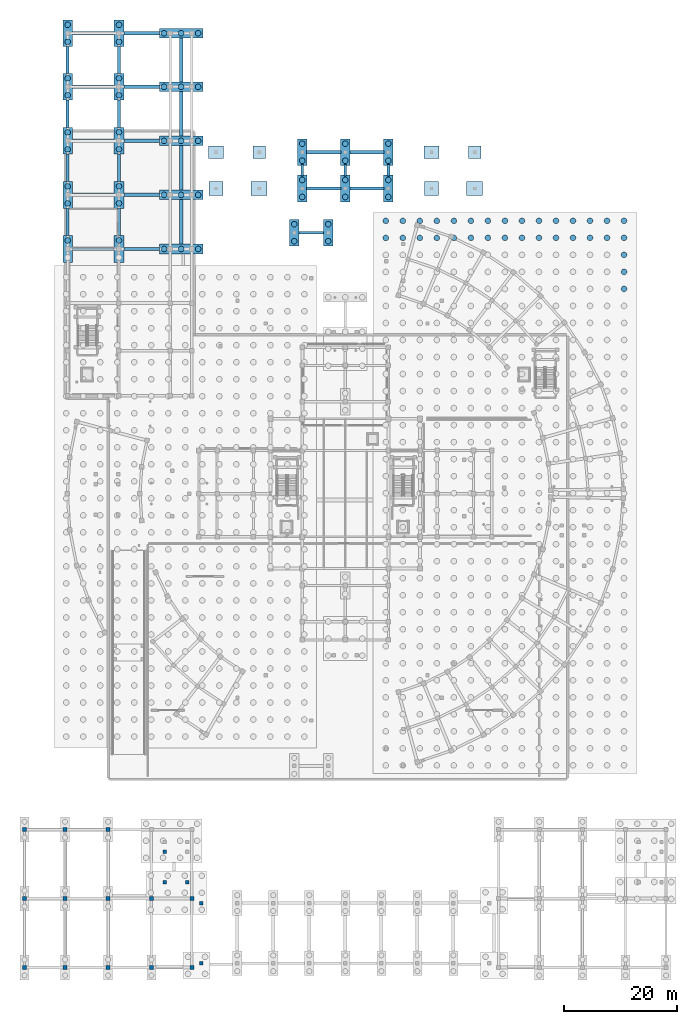
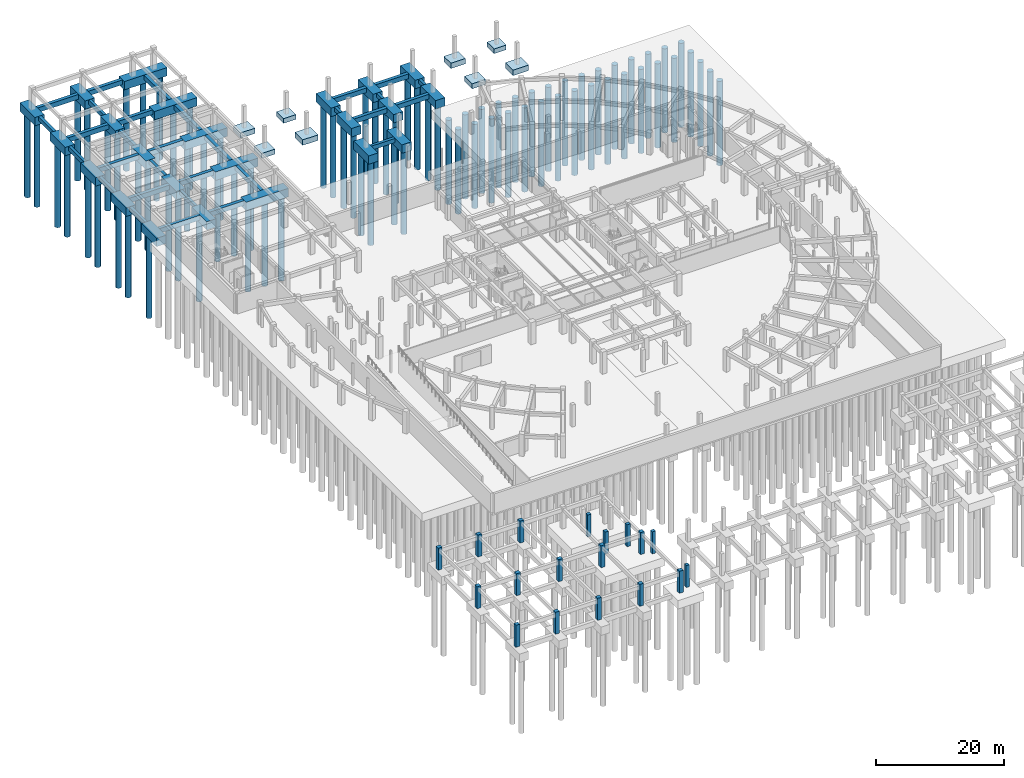
# One storey, part 6 of 33: 82 piles, 61 footings, 18 columns.
"""IFC4 building model written with IfcOpenShell, lengths in metres."""

from ifc_helpers import new_model, si_unit, direction, frame, origin, origin_2d, place, context, subcontext, project, spatial, rectangle, circle, extrude, material, material_profile, profile_set, type_object, element, save


model = new_model("IFC4")

# Units and contexts
model_context = context("Model", 3, precision=1e-05, world=origin(), true_north=direction((0.0, 1.0)))
body_context = subcontext(model_context, "Body", "Model", "MODEL_VIEW")
ifc_project = project(units=[si_unit("LENGTHUNIT", "METRE"), si_unit("AREAUNIT", "SQUARE_METRE"), si_unit("VOLUMEUNIT", "CUBIC_METRE"), si_unit("PLANEANGLEUNIT", "RADIAN"), si_unit("MASSUNIT", "GRAM", prefix="KILO")], contexts=[model_context])

# Site, building, storey
site_placement = place(None, origin())
site = spatial("IfcSite", under=ifc_project, at=site_placement, CompositionType="ELEMENT")
building_placement = place(site_placement, origin())
building = spatial("IfcBuilding", under=site, at=building_placement, Name="Saryqyr Civic Hall", CompositionType="ELEMENT")
storey_placement = place(building_placement, frame((0.0, 0.0, -4.199951171875)))
storey = spatial("IfcBuildingStorey", under=building, at=storey_placement, Name="B1", CompositionType="ELEMENT", Elevation=-4.199951171875)

# Footings
ifc_material_1 = material(Name="Concrete C35/45", Category="concrete")
footing_type_1 = type_object("IfcFootingType", Name="STR-FB-500x800", PredefinedType="FOOTING_BEAM", material=ifc_material_1)
for number, where, z_axis, x_axis, name in (
    (1, (8.050048828125, 131.89501953125, -0.80029296875), (0.0, 0.0, 1.0), (1.0, 0.0, 0.0), "Ground tie beam FND-FB-061"),
    (2, (17.10009765625, 131.89501953125, -0.80029296875), (0.0, 0.0, 1.0), (1.0, 0.0, 0.0), "Ground tie beam FND-FB-063"),
):
    element("IfcFooting", number, at=place(storey_placement, frame(where, z_axis=z_axis, x_axis=x_axis)), inside=storey, type_object=footing_type_1, Name=name, PredefinedType="FOOTING_BEAM", context=body_context, shape_type="SweptSolid", body=[
        extrude(rectangle(XDim=0.5, YDim=4.830078125, at=origin_2d()), origin(), (0.0, 0.0, 1.0), 0.800048828125),
    ])
footing_1_placement = place(storey_placement, frame((51.0, 130.0, -0.80029296875), z_axis=(0.0, 0.0, 1.0), x_axis=(1.0, 0.0, 0.0)))
element("IfcFooting", 3, at=footing_1_placement, inside=storey, type_object=footing_type_1, Name="Ground tie beam FND-FB-065", PredefinedType="FOOTING_BEAM", context=body_context, shape_type="SweptSolid", body=[
    extrude(rectangle(XDim=4.39990234375, YDim=0.5, at=origin_2d()), origin(), (0.0, 0.0, 1.0), 0.800048828125),
])
for number, where, z_axis, x_axis, name in (
    (4, (8.050048828125, 141.425048828125, -0.80029296875), (0.0, 0.0, 1.0), (1.0, 0.0, 0.0), "Ground tie beam FND-FB-067"),
    (5, (17.10009765625, 141.425048828125, -0.80029296875), (0.0, 0.0, 1.0), (1.0, 0.0, 0.0), "Ground tie beam FND-FB-069"),
):
    element("IfcFooting", number, at=place(storey_placement, frame(where, z_axis=z_axis, x_axis=x_axis)), inside=storey, type_object=footing_type_1, Name=name, PredefinedType="FOOTING_BEAM", context=body_context, shape_type="SweptSolid", body=[
        extrude(rectangle(XDim=0.5, YDim=4.830078125, at=origin_2d()), origin(), (0.0, 0.0, 1.0), 0.800048828125),
    ])
for number, where, z_axis, x_axis, name in (
    (6, (49.39990234375, 141.0, -0.80029296875), (0.0, 0.0, 1.0), (1.0, 0.0, 0.0), "Ground tie beam FND-FB-072"),
    (7, (57.0, 141.0, -0.80029296875), (0.0, 0.0, 1.0), (1.0, 0.0, 0.0), "Ground tie beam FND-FB-074"),
    (8, (64.60009765625, 141.0, -0.80029296875), (0.0, 0.0, 1.0), (1.0, 0.0, 0.0), "Ground tie beam FND-FB-075"),
):
    element("IfcFooting", number, at=place(storey_placement, frame(where, z_axis=z_axis, x_axis=x_axis)), inside=storey, type_object=footing_type_1, Name=name, PredefinedType="FOOTING_BEAM", context=body_context, shape_type="SweptSolid", body=[
        extrude(rectangle(XDim=0.5, YDim=2.0, at=origin_2d()), origin(), (0.0, 0.0, 1.0), 0.800048828125),
    ])
for number, where, z_axis, x_axis, name in (
    (9, (8.050048828125, 150.955078125, -0.80029296875), (0.0, 0.0, 1.0), (1.0, 0.0, 0.0), "Ground tie beam FND-FB-079"),
    (10, (17.10009765625, 150.955078125, -0.80029296875), (0.0, 0.0, 1.0), (1.0, 0.0, 0.0), "Ground tie beam FND-FB-081"),
):
    element("IfcFooting", number, at=place(storey_placement, frame(where, z_axis=z_axis, x_axis=x_axis)), inside=storey, type_object=footing_type_1, Name=name, PredefinedType="FOOTING_BEAM", context=body_context, shape_type="SweptSolid", body=[
        extrude(rectangle(XDim=0.5, YDim=4.830078125, at=origin_2d()), origin(), (0.0, 0.0, 1.0), 0.800048828125),
    ])
for number, where, z_axis, x_axis, name in (
    (11, (8.050048828125, 160.43505859375, -0.80029296875), (0.0, 0.0, 1.0), (1.0, 0.0, 0.0), "Ground tie beam FND-FB-084"),
    (12, (17.10009765625, 160.43505859375, -0.80029296875), (0.0, 0.0, 1.0), (1.0, 0.0, 0.0), "Ground tie beam FND-FB-086"),
):
    element("IfcFooting", number, at=place(storey_placement, frame(where, z_axis=z_axis, x_axis=x_axis)), inside=storey, type_object=footing_type_1, Name=name, PredefinedType="FOOTING_BEAM", context=body_context, shape_type="SweptSolid", body=[
        extrude(rectangle(XDim=0.5, YDim=4.72998046875, at=origin_2d()), origin(), (0.0, 0.0, 1.0), 0.800048828125),
    ])
footing_type_2 = type_object("IfcFootingType", Name="STR-FB-600x900", PredefinedType="FOOTING_BEAM", material=ifc_material_1)
footing_2_placement = place(storey_placement, frame((12.574951171875, 127.1298828125, -0.89990234375), z_axis=(0.0, 0.0, 1.0), x_axis=(1.0, 0.0, 0.0)))
element("IfcFooting", 13, at=footing_2_placement, inside=storey, type_object=footing_type_2, Name="Ground tie beam FND-FB-060", PredefinedType="FOOTING_BEAM", context=body_context, shape_type="SweptSolid", body=[
    extrude(rectangle(XDim=7.35009765625, YDim=0.60009765625, at=origin_2d()), origin(), (0.0, 0.0, 1.0), 0.89990234375),
])
footing_3_placement = place(storey_placement, frame((21.074951171875, 127.1298828125, -0.89990234375), z_axis=(0.0, 0.0, 1.0), x_axis=(1.0, 0.0, 0.0)))
element("IfcFooting", 14, at=footing_3_placement, inside=storey, type_object=footing_type_2, Name="Ground tie beam FND-FB-062", PredefinedType="FOOTING_BEAM", context=body_context, shape_type="SweptSolid", body=[
    extrude(rectangle(XDim=6.25, YDim=0.60009765625, at=origin_2d()), origin(), (0.0, 0.0, 1.0), 0.89990234375),
])
footing_4_placement = place(storey_placement, frame((28.050048828125, 131.89501953125, -0.89990234375), z_axis=(0.0, 0.0, 1.0), x_axis=(1.0, 0.0, 0.0)))
element("IfcFooting", 15, at=footing_4_placement, inside=storey, type_object=footing_type_2, Name="Ground tie beam FND-FB-064", PredefinedType="FOOTING_BEAM", context=body_context, shape_type="SweptSolid", body=[
    extrude(rectangle(XDim=0.60009765625, YDim=7.830078125, at=origin_2d()), origin(), (0.0, 0.0, 1.0), 0.89990234375),
])
footing_5_placement = place(storey_placement, frame((12.574951171875, 136.659912109375, -0.89990234375), z_axis=(0.0, 0.0, 1.0), x_axis=(1.0, 0.0, 0.0)))
element("IfcFooting", 16, at=footing_5_placement, inside=storey, type_object=footing_type_2, Name="Ground tie beam FND-FB-066", PredefinedType="FOOTING_BEAM", context=body_context, shape_type="SweptSolid", body=[
    extrude(rectangle(XDim=7.35009765625, YDim=0.60009765625, at=origin_2d()), origin(), (0.0, 0.0, 1.0), 0.89990234375),
])
footing_6_placement = place(storey_placement, frame((21.074951171875, 136.659912109375, -0.89990234375), z_axis=(0.0, 0.0, 1.0), x_axis=(1.0, 0.0, 0.0)))
element("IfcFooting", 17, at=footing_6_placement, inside=storey, type_object=footing_type_2, Name="Ground tie beam FND-FB-068", PredefinedType="FOOTING_BEAM", context=body_context, shape_type="SweptSolid", body=[
    extrude(rectangle(XDim=6.25, YDim=0.60009765625, at=origin_2d()), origin(), (0.0, 0.0, 1.0), 0.89990234375),
])
footing_7_placement = place(storey_placement, frame((28.050048828125, 141.425048828125, -0.89990234375), z_axis=(0.0, 0.0, 1.0), x_axis=(1.0, 0.0, 0.0)))
element("IfcFooting", 18, at=footing_7_placement, inside=storey, type_object=footing_type_2, Name="Ground tie beam FND-FB-070", PredefinedType="FOOTING_BEAM", context=body_context, shape_type="SweptSolid", body=[
    extrude(rectangle(XDim=0.60009765625, YDim=7.830078125, at=origin_2d()), origin(), (0.0, 0.0, 1.0), 0.89990234375),
])
for number, where, z_axis, x_axis, name in (
    (19, (53.199951171875, 137.800048828125, -0.89990234375), (0.0, 0.0, 1.0), (1.0, 0.0, 0.0), "Ground tie beam FND-FB-071"),
    (20, (60.800048828125, 137.800048828125, -0.89990234375), (0.0, 0.0, 1.0), (1.0, 0.0, 0.0), "Ground tie beam FND-FB-073"),
    (21, (53.199951171875, 144.199951171875, -0.89990234375), (0.0, 0.0, 1.0), (1.0, 0.0, 0.0), "Ground tie beam FND-FB-076"),
    (22, (60.800048828125, 144.199951171875, -0.89990234375), (0.0, 0.0, 1.0), (1.0, 0.0, 0.0), "Ground tie beam FND-FB-077"),
):
    element("IfcFooting", number, at=place(storey_placement, frame(where, z_axis=z_axis, x_axis=x_axis)), inside=storey, type_object=footing_type_2, Name=name, PredefinedType="FOOTING_BEAM", context=body_context, shape_type="SweptSolid", body=[
        extrude(rectangle(XDim=6.0, YDim=0.60009765625, at=origin_2d()), origin(), (0.0, 0.0, 1.0), 0.89990234375),
    ])
footing_8_placement = place(storey_placement, frame((12.574951171875, 146.18994140625, -0.89990234375), z_axis=(0.0, 0.0, 1.0), x_axis=(1.0, 0.0, 0.0)))
element("IfcFooting", 23, at=footing_8_placement, inside=storey, type_object=footing_type_2, Name="Ground tie beam FND-FB-078", PredefinedType="FOOTING_BEAM", context=body_context, shape_type="SweptSolid", body=[
    extrude(rectangle(XDim=7.35009765625, YDim=0.60009765625, at=origin_2d()), origin(), (0.0, 0.0, 1.0), 0.89990234375),
])
footing_9_placement = place(storey_placement, frame((21.074951171875, 146.18994140625, -0.89990234375), z_axis=(0.0, 0.0, 1.0), x_axis=(1.0, 0.0, 0.0)))
element("IfcFooting", 24, at=footing_9_placement, inside=storey, type_object=footing_type_2, Name="Ground tie beam FND-FB-080", PredefinedType="FOOTING_BEAM", context=body_context, shape_type="SweptSolid", body=[
    extrude(rectangle(XDim=6.25, YDim=0.60009765625, at=origin_2d()), origin(), (0.0, 0.0, 1.0), 0.89990234375),
])
footing_10_placement = place(storey_placement, frame((28.050048828125, 150.955078125, -0.89990234375), z_axis=(0.0, 0.0, 1.0), x_axis=(1.0, 0.0, 0.0)))
element("IfcFooting", 25, at=footing_10_placement, inside=storey, type_object=footing_type_2, Name="Ground tie beam FND-FB-082", PredefinedType="FOOTING_BEAM", context=body_context, shape_type="SweptSolid", body=[
    extrude(rectangle(XDim=0.60009765625, YDim=7.830078125, at=origin_2d()), origin(), (0.0, 0.0, 1.0), 0.89990234375),
])
footing_11_placement = place(storey_placement, frame((12.574951171875, 155.719970703125, -0.89990234375), z_axis=(0.0, 0.0, 1.0), x_axis=(1.0, 0.0, 0.0)))
element("IfcFooting", 26, at=footing_11_placement, inside=storey, type_object=footing_type_2, Name="Ground tie beam FND-FB-083", PredefinedType="FOOTING_BEAM", context=body_context, shape_type="SweptSolid", body=[
    extrude(rectangle(XDim=7.35009765625, YDim=0.60009765625, at=origin_2d()), origin(), (0.0, 0.0, 1.0), 0.89990234375),
])
footing_12_placement = place(storey_placement, frame((21.074951171875, 155.719970703125, -0.89990234375), z_axis=(0.0, 0.0, 1.0), x_axis=(1.0, 0.0, 0.0)))
element("IfcFooting", 27, at=footing_12_placement, inside=storey, type_object=footing_type_2, Name="Ground tie beam FND-FB-085", PredefinedType="FOOTING_BEAM", context=body_context, shape_type="SweptSolid", body=[
    extrude(rectangle(XDim=6.25, YDim=0.60009765625, at=origin_2d()), origin(), (0.0, 0.0, 1.0), 0.89990234375),
])
footing_13_placement = place(storey_placement, frame((28.050048828125, 160.43505859375, -0.89990234375), z_axis=(0.0, 0.0, 1.0), x_axis=(1.0, 0.0, 0.0)))
element("IfcFooting", 28, at=footing_13_placement, inside=storey, type_object=footing_type_2, Name="Ground tie beam FND-FB-087", PredefinedType="FOOTING_BEAM", context=body_context, shape_type="SweptSolid", body=[
    extrude(rectangle(XDim=0.60009765625, YDim=7.72998046875, at=origin_2d()), origin(), (0.0, 0.0, 1.0), 0.89990234375),
])
footing_14_placement = place(storey_placement, frame((12.574951171875, 165.14990234375, -0.89990234375), z_axis=(0.0, 0.0, 1.0), x_axis=(1.0, 0.0, 0.0)))
element("IfcFooting", 29, at=footing_14_placement, inside=storey, type_object=footing_type_2, Name="Ground tie beam FND-FB-088", PredefinedType="FOOTING_BEAM", context=body_context, shape_type="SweptSolid", body=[
    extrude(rectangle(XDim=7.35009765625, YDim=0.60009765625, at=origin_2d()), origin(), (0.0, 0.0, 1.0), 0.89990234375),
])
footing_15_placement = place(storey_placement, frame((21.074951171875, 165.14990234375, -0.89990234375), z_axis=(0.0, 0.0, 1.0), x_axis=(1.0, 0.0, 0.0)))
element("IfcFooting", 30, at=footing_15_placement, inside=storey, type_object=footing_type_2, Name="Ground tie beam FND-FB-089", PredefinedType="FOOTING_BEAM", context=body_context, shape_type="SweptSolid", body=[
    extrude(rectangle(XDim=6.25, YDim=0.60009765625, at=origin_2d()), origin(), (0.0, 0.0, 1.0), 0.89990234375),
])
footing_type_3 = type_object("IfcFootingType", Name="STR-PAD-2200x2200x900", PredefinedType="PAD_FOOTING", material=ifc_material_1)
for number, where, z_axis, x_axis, name in (
    (31, (41.800048828125, 144.199951171875, -0.89990234375), (0.0, 0.0, 1.0), (1.0, 0.0, 0.0), "Reinforced concrete pad footing FND-PAD-004"),
    (32, (79.800048828125, 144.199951171875, -0.89990234375), (0.0, 0.0, 1.0), (1.0, 0.0, 0.0), "Reinforced concrete pad footing FND-PAD-008"),
):
    element("IfcFooting", number, at=place(storey_placement, frame(where, z_axis=z_axis, x_axis=x_axis)), inside=storey, type_object=footing_type_3, Name=name, PredefinedType="PAD_FOOTING", context=body_context, shape_type="SweptSolid", body=[
        extrude(rectangle(XDim=2.199951171875, YDim=2.199951171875, at=origin_2d()), origin(), (0.0, 0.0, 1.0), 0.89990234375),
    ])
footing_type_4 = type_object("IfcFootingType", Name="STR-PAD-2400x2400x950", PredefinedType="PAD_FOOTING", material=ifc_material_1)
for number, where, z_axis, x_axis, name in (
    (33, (34.199951171875, 137.800048828125, -0.9501953125), (0.0, 0.0, 1.0), (1.0, 0.0, 0.0), "Reinforced concrete pad footing FND-PAD-001"),
    (34, (72.199951171875, 137.800048828125, -0.9501953125), (0.0, 0.0, 1.0), (1.0, 0.0, 0.0), "Reinforced concrete pad footing FND-PAD-005"),
):
    element("IfcFooting", number, at=place(storey_placement, frame(where, z_axis=z_axis, x_axis=x_axis)), inside=storey, type_object=footing_type_4, Name=name, PredefinedType="PAD_FOOTING", context=body_context, shape_type="SweptSolid", body=[
        extrude(rectangle(XDim=2.39990234375, YDim=2.39990234375, at=origin_2d()), origin(), (0.0, 0.0, 1.0), 0.949951171875),
    ])
footing_type_5 = type_object("IfcFootingType", Name="STR-PAD-2600x2200x1000", PredefinedType="PAD_FOOTING", material=ifc_material_1)
for number, where, z_axis, x_axis, name in (
    (35, (34.199951171875, 144.199951171875, -1.0), (0.0, 0.0, 1.0), (1.0, 0.0, 0.0), "Reinforced concrete pad footing FND-PAD-002"),
    (36, (72.199951171875, 144.199951171875, -1.0), (0.0, 0.0, 1.0), (1.0, 0.0, 0.0), "Reinforced concrete pad footing FND-PAD-006"),
):
    element("IfcFooting", number, at=place(storey_placement, frame(where, z_axis=z_axis, x_axis=x_axis)), inside=storey, type_object=footing_type_5, Name=name, PredefinedType="PAD_FOOTING", context=body_context, shape_type="SweptSolid", body=[
        extrude(rectangle(XDim=2.60009765625, YDim=2.199951171875, at=origin_2d()), origin(), (0.0, 0.0, 1.0), 1.0),
    ])
footing_type_6 = type_object("IfcFootingType", Name="STR-PAD-2800x2400x1050", PredefinedType="PAD_FOOTING", material=ifc_material_1)
for number, where, z_axis, x_axis, name in (
    (37, (41.800048828125, 137.800048828125, -1.05029296875), (0.0, 0.0, 1.0), (1.0, 0.0, 0.0), "Reinforced concrete pad footing FND-PAD-003"),
    (38, (79.800048828125, 137.800048828125, -1.05029296875), (0.0, 0.0, 1.0), (1.0, 0.0, 0.0), "Reinforced concrete pad footing FND-PAD-007"),
):
    element("IfcFooting", number, at=place(storey_placement, frame(where, z_axis=z_axis, x_axis=x_axis)), inside=storey, type_object=footing_type_6, Name=name, PredefinedType="PAD_FOOTING", context=body_context, shape_type="SweptSolid", body=[
        extrude(rectangle(XDim=2.800048828125, YDim=2.39990234375, at=origin_2d()), origin(), (0.0, 0.0, 1.0), 1.050048828125),
    ])
footing_type_7 = type_object("IfcFootingType", Name="STR-PCAP-1700x4700x1600", PredefinedType="PILE_CAP", material=ifc_material_1)
for number, where, z_axis, x_axis, name in (
    (39, (8.050048828125, 127.1298828125, -1.60009765625), (0.0, 0.0, 1.0), (1.0, 0.0, 0.0), "Reinforced concrete pile cap FND-PCAP-050"),
    (40, (17.10009765625, 127.1298828125, -1.60009765625), (0.0, 0.0, 1.0), (1.0, 0.0, 0.0), "Reinforced concrete pile cap FND-PCAP-051"),
    (41, (48.0, 130.0, -1.60009765625), (0.0, 0.0, 1.0), (1.0, 0.0, 0.0), "Reinforced concrete pile cap FND-PCAP-053"),
    (42, (54.0, 130.0, -1.60009765625), (0.0, 0.0, 1.0), (1.0, 0.0, 0.0), "Reinforced concrete pile cap FND-PCAP-054"),
    (43, (8.050048828125, 136.659912109375, -1.60009765625), (0.0, 0.0, 1.0), (1.0, 0.0, 0.0), "Reinforced concrete pile cap FND-PCAP-055"),
    (44, (17.10009765625, 136.659912109375, -1.60009765625), (0.0, 0.0, 1.0), (1.0, 0.0, 0.0), "Reinforced concrete pile cap FND-PCAP-056"),
    (45, (49.39990234375, 137.800048828125, -1.60009765625), (0.0, 0.0, 1.0), (1.0, 0.0, 0.0), "Reinforced concrete pile cap FND-PCAP-058"),
    (46, (57.0, 137.800048828125, -1.60009765625), (0.0, 0.0, 1.0), (1.0, 0.0, 0.0), "Reinforced concrete pile cap FND-PCAP-059"),
    (47, (64.60009765625, 137.800048828125, -1.60009765625), (0.0, 0.0, 1.0), (1.0, 0.0, 0.0), "Reinforced concrete pile cap FND-PCAP-060"),
    (48, (49.39990234375, 144.199951171875, -1.60009765625), (0.0, 0.0, 1.0), (1.0, 0.0, 0.0), "Reinforced concrete pile cap FND-PCAP-061"),
    (49, (57.0, 144.199951171875, -1.60009765625), (0.0, 0.0, 1.0), (1.0, 0.0, 0.0), "Reinforced concrete pile cap FND-PCAP-062"),
    (50, (64.60009765625, 144.199951171875, -1.60009765625), (0.0, 0.0, 1.0), (1.0, 0.0, 0.0), "Reinforced concrete pile cap FND-PCAP-063"),
    (51, (8.050048828125, 146.18994140625, -1.60009765625), (0.0, 0.0, 1.0), (1.0, 0.0, 0.0), "Reinforced concrete pile cap FND-PCAP-064"),
    (52, (17.10009765625, 146.18994140625, -1.60009765625), (0.0, 0.0, 1.0), (1.0, 0.0, 0.0), "Reinforced concrete pile cap FND-PCAP-065"),
    (53, (8.050048828125, 155.719970703125, -1.60009765625), (0.0, 0.0, 1.0), (1.0, 0.0, 0.0), "Reinforced concrete pile cap FND-PCAP-067"),
    (54, (17.10009765625, 155.719970703125, -1.60009765625), (0.0, 0.0, 1.0), (1.0, 0.0, 0.0), "Reinforced concrete pile cap FND-PCAP-068"),
    (55, (8.050048828125, 165.14990234375, -1.60009765625), (0.0, 0.0, 1.0), (1.0, 0.0, 0.0), "Reinforced concrete pile cap FND-PCAP-070"),
    (56, (17.10009765625, 165.14990234375, -1.60009765625), (0.0, 0.0, 1.0), (1.0, 0.0, 0.0), "Reinforced concrete pile cap FND-PCAP-071"),
):
    element("IfcFooting", number, at=place(storey_placement, frame(where, z_axis=z_axis, x_axis=x_axis)), inside=storey, type_object=footing_type_7, Name=name, PredefinedType="PILE_CAP", context=body_context, shape_type="SweptSolid", body=[
        extrude(rectangle(XDim=1.699951171875, YDim=4.699951171875, at=origin_2d()), origin(), (0.0, 0.0, 1.0), 1.60009765625),
    ])
footing_type_8 = type_object("IfcFootingType", Name="STR-PCAP-7700x1700x1600", PredefinedType="PILE_CAP", material=ifc_material_1)
for number, where, z_axis, x_axis, name in (
    (57, (28.050048828125, 127.1298828125, -1.60009765625), (0.0, 0.0, 1.0), (1.0, 0.0, 0.0), "Reinforced concrete pile cap FND-PCAP-052"),
    (58, (28.050048828125, 136.659912109375, -1.60009765625), (0.0, 0.0, 1.0), (1.0, 0.0, 0.0), "Reinforced concrete pile cap FND-PCAP-057"),
    (59, (28.050048828125, 146.18994140625, -1.60009765625), (0.0, 0.0, 1.0), (1.0, 0.0, 0.0), "Reinforced concrete pile cap FND-PCAP-066"),
    (60, (28.050048828125, 155.719970703125, -1.60009765625), (0.0, 0.0, 1.0), (1.0, 0.0, 0.0), "Reinforced concrete pile cap FND-PCAP-069"),
    (61, (28.050048828125, 165.14990234375, -1.60009765625), (0.0, 0.0, 1.0), (1.0, 0.0, 0.0), "Reinforced concrete pile cap FND-PCAP-072"),
):
    element("IfcFooting", number, at=place(storey_placement, frame(where, z_axis=z_axis, x_axis=x_axis)), inside=storey, type_object=footing_type_8, Name=name, PredefinedType="PILE_CAP", context=body_context, shape_type="SweptSolid", body=[
        extrude(rectangle(XDim=7.699951171875, YDim=1.699951171875, at=origin_2d()), origin(), (0.0, 0.0, 1.0), 1.60009765625),
    ])

# Piles
ifc_material_profile_1 = material_profile(ifc_material_1, circle(Radius=0.5, at=origin_2d()), Name="BORED PILE D1000")
ifc_profile_set_1 = profile_set([ifc_material_profile_1], Name="Concrete C35/45")
pile_type = type_object("IfcPileType", Name="STR-PILE-D1000", PredefinedType="BORED", material=ifc_profile_set_1)
for number, where, z_axis, x_axis, name in (
    (62, (64.14404296875, 129.0849609375, -1.5), (0.0, 0.0, -1.0), (1.0, 0.0, 0.0), "Bored pile FND-PCAP-043-P32"),
    (63, (64.14404296875, 132.0849609375, -1.5), (0.0, 0.0, -1.0), (1.0, 0.0, 0.0), "Bored pile FND-PCAP-043-P33"),
    (64, (67.14404296875, 129.0849609375, -1.5), (0.0, 0.0, -1.0), (1.0, 0.0, 0.0), "Bored pile FND-PCAP-043-P65"),
    (65, (67.14404296875, 132.0849609375, -1.5), (0.0, 0.0, -1.0), (1.0, 0.0, 0.0), "Bored pile FND-PCAP-043-P66"),
    (66, (70.14404296875, 129.0849609375, -1.5), (0.0, 0.0, -1.0), (1.0, 0.0, 0.0), "Bored pile FND-PCAP-043-P98"),
    (67, (70.14404296875, 132.0849609375, -1.5), (0.0, 0.0, -1.0), (1.0, 0.0, 0.0), "Bored pile FND-PCAP-043-P99"),
    (68, (73.14404296875, 129.0849609375, -1.5), (0.0, 0.0, -1.0), (1.0, 0.0, 0.0), "Bored pile FND-PCAP-043-P131"),
    (69, (73.14404296875, 132.0849609375, -1.5), (0.0, 0.0, -1.0), (1.0, 0.0, 0.0), "Bored pile FND-PCAP-043-P132"),
    (70, (76.14404296875, 129.0849609375, -1.5), (0.0, 0.0, -1.0), (1.0, 0.0, 0.0), "Bored pile FND-PCAP-043-P164"),
    (71, (76.14404296875, 132.0849609375, -1.5), (0.0, 0.0, -1.0), (1.0, 0.0, 0.0), "Bored pile FND-PCAP-043-P165"),
    (72, (79.14404296875, 129.0849609375, -1.5), (0.0, 0.0, -1.0), (1.0, 0.0, 0.0), "Bored pile FND-PCAP-043-P197"),
    (73, (79.14404296875, 132.0849609375, -1.5), (0.0, 0.0, -1.0), (1.0, 0.0, 0.0), "Bored pile FND-PCAP-043-P198"),
    (74, (82.14404296875, 129.0849609375, -1.5), (0.0, 0.0, -1.0), (1.0, 0.0, 0.0), "Bored pile FND-PCAP-043-P230"),
    (75, (82.14404296875, 132.0849609375, -1.5), (0.0, 0.0, -1.0), (1.0, 0.0, 0.0), "Bored pile FND-PCAP-043-P231"),
    (76, (85.14404296875, 129.0849609375, -1.5), (0.0, 0.0, -1.0), (1.0, 0.0, 0.0), "Bored pile FND-PCAP-043-P263"),
    (77, (85.14404296875, 132.0849609375, -1.5), (0.0, 0.0, -1.0), (1.0, 0.0, 0.0), "Bored pile FND-PCAP-043-P264"),
    (78, (88.14404296875, 129.0849609375, -1.5), (0.0, 0.0, -1.0), (1.0, 0.0, 0.0), "Bored pile FND-PCAP-043-P296"),
    (79, (88.14404296875, 132.0849609375, -1.5), (0.0, 0.0, -1.0), (1.0, 0.0, 0.0), "Bored pile FND-PCAP-043-P297"),
    (80, (91.14404296875, 129.0849609375, -1.5), (0.0, 0.0, -1.0), (1.0, 0.0, 0.0), "Bored pile FND-PCAP-043-P329"),
    (81, (91.14404296875, 132.0849609375, -1.5), (0.0, 0.0, -1.0), (1.0, 0.0, 0.0), "Bored pile FND-PCAP-043-P330"),
    (82, (94.14404296875, 129.0849609375, -1.5), (0.0, 0.0, -1.0), (1.0, 0.0, 0.0), "Bored pile FND-PCAP-043-P362"),
    (83, (94.14404296875, 132.0849609375, -1.5), (0.0, 0.0, -1.0), (1.0, 0.0, 0.0), "Bored pile FND-PCAP-043-P363"),
    (84, (97.14404296875, 129.0849609375, -1.5), (0.0, 0.0, -1.0), (1.0, 0.0, 0.0), "Bored pile FND-PCAP-043-P395"),
    (85, (97.14404296875, 132.0849609375, -1.5), (0.0, 0.0, -1.0), (1.0, 0.0, 0.0), "Bored pile FND-PCAP-043-P396"),
    (86, (100.14404296875, 129.0849609375, -1.5), (0.0, 0.0, -1.0), (1.0, 0.0, 0.0), "Bored pile FND-PCAP-043-P428"),
    (87, (100.14404296875, 132.0849609375, -1.5), (0.0, 0.0, -1.0), (1.0, 0.0, 0.0), "Bored pile FND-PCAP-043-P429"),
    (88, (103.14404296875, 129.0849609375, -1.5), (0.0, 0.0, -1.0), (1.0, 0.0, 0.0), "Bored pile FND-PCAP-043-P461"),
    (89, (103.14404296875, 132.0849609375, -1.5), (0.0, 0.0, -1.0), (1.0, 0.0, 0.0), "Bored pile FND-PCAP-043-P462"),
    (90, (106.14404296875, 120.0849609375, -1.5), (0.0, 0.0, -1.0), (1.0, 0.0, 0.0), "Bored pile FND-PCAP-043-P491"),
    (91, (106.14404296875, 123.0849609375, -1.5), (0.0, 0.0, -1.0), (1.0, 0.0, 0.0), "Bored pile FND-PCAP-043-P492"),
    (92, (106.14404296875, 126.0849609375, -1.5), (0.0, 0.0, -1.0), (1.0, 0.0, 0.0), "Bored pile FND-PCAP-043-P493"),
    (93, (106.14404296875, 129.0849609375, -1.5), (0.0, 0.0, -1.0), (1.0, 0.0, 0.0), "Bored pile FND-PCAP-043-P494"),
    (94, (106.14404296875, 132.0849609375, -1.5), (0.0, 0.0, -1.0), (1.0, 0.0, 0.0), "Bored pile FND-PCAP-043-P495"),
    (95, (8.050048828125, 128.6298828125, -1.5), (0.0, 0.0, -1.0), (1.0, 0.0, 0.0), "Bored pile FND-PCAP-050-P02"),
    (96, (17.10009765625, 128.6298828125, -1.5), (0.0, 0.0, -1.0), (1.0, 0.0, 0.0), "Bored pile FND-PCAP-051-P02"),
    (97, (25.050048828125, 127.1298828125, -1.5), (0.0, 0.0, -1.0), (1.0, 0.0, 0.0), "Bored pile FND-PCAP-052-P01"),
    (98, (28.050048828125, 127.1298828125, -1.5), (0.0, 0.0, -1.0), (1.0, 0.0, 0.0), "Bored pile FND-PCAP-052-P02"),
    (99, (31.050048828125, 127.1298828125, -1.5), (0.0, 0.0, -1.0), (1.0, 0.0, 0.0), "Bored pile FND-PCAP-052-P03"),
    (100, (48.0, 128.5, -1.5), (0.0, 0.0, -1.0), (1.0, 0.0, 0.0), "Bored pile FND-PCAP-053-P01"),
    (101, (48.0, 131.5, -1.5), (0.0, 0.0, -1.0), (1.0, 0.0, 0.0), "Bored pile FND-PCAP-053-P02"),
    (102, (54.0, 128.5, -1.5), (0.0, 0.0, -1.0), (1.0, 0.0, 0.0), "Bored pile FND-PCAP-054-P01"),
    (103, (54.0, 131.5, -1.5), (0.0, 0.0, -1.0), (1.0, 0.0, 0.0), "Bored pile FND-PCAP-054-P02"),
    (104, (8.050048828125, 135.159912109375, -1.5), (0.0, 0.0, -1.0), (1.0, 0.0, 0.0), "Bored pile FND-PCAP-055-P01"),
    (105, (8.050048828125, 138.159912109375, -1.5), (0.0, 0.0, -1.0), (1.0, 0.0, 0.0), "Bored pile FND-PCAP-055-P02"),
    (106, (17.10009765625, 135.159912109375, -1.5), (0.0, 0.0, -1.0), (1.0, 0.0, 0.0), "Bored pile FND-PCAP-056-P01"),
    (107, (17.10009765625, 138.159912109375, -1.5), (0.0, 0.0, -1.0), (1.0, 0.0, 0.0), "Bored pile FND-PCAP-056-P02"),
    (108, (25.050048828125, 136.659912109375, -1.5), (0.0, 0.0, -1.0), (1.0, 0.0, 0.0), "Bored pile FND-PCAP-057-P01"),
    (109, (28.050048828125, 136.659912109375, -1.5), (0.0, 0.0, -1.0), (1.0, 0.0, 0.0), "Bored pile FND-PCAP-057-P02"),
    (110, (31.050048828125, 136.659912109375, -1.5), (0.0, 0.0, -1.0), (1.0, 0.0, 0.0), "Bored pile FND-PCAP-057-P03"),
    (111, (49.39990234375, 136.300048828125, -1.5), (0.0, 0.0, -1.0), (1.0, 0.0, 0.0), "Bored pile FND-PCAP-058-P01"),
    (112, (49.39990234375, 139.300048828125, -1.5), (0.0, 0.0, -1.0), (1.0, 0.0, 0.0), "Bored pile FND-PCAP-058-P02"),
    (113, (57.0, 136.300048828125, -1.5), (0.0, 0.0, -1.0), (1.0, 0.0, 0.0), "Bored pile FND-PCAP-059-P01"),
    (114, (57.0, 139.300048828125, -1.5), (0.0, 0.0, -1.0), (1.0, 0.0, 0.0), "Bored pile FND-PCAP-059-P02"),
    (115, (64.60009765625, 136.300048828125, -1.5), (0.0, 0.0, -1.0), (1.0, 0.0, 0.0), "Bored pile FND-PCAP-060-P01"),
    (116, (64.60009765625, 139.300048828125, -1.5), (0.0, 0.0, -1.0), (1.0, 0.0, 0.0), "Bored pile FND-PCAP-060-P02"),
    (117, (49.39990234375, 142.699951171875, -1.5), (0.0, 0.0, -1.0), (1.0, 0.0, 0.0), "Bored pile FND-PCAP-061-P01"),
    (118, (49.39990234375, 145.699951171875, -1.5), (0.0, 0.0, -1.0), (1.0, 0.0, 0.0), "Bored pile FND-PCAP-061-P02"),
    (119, (57.0, 142.699951171875, -1.5), (0.0, 0.0, -1.0), (1.0, 0.0, 0.0), "Bored pile FND-PCAP-062-P01"),
    (120, (57.0, 145.699951171875, -1.5), (0.0, 0.0, -1.0), (1.0, 0.0, 0.0), "Bored pile FND-PCAP-062-P02"),
    (121, (64.60009765625, 142.699951171875, -1.5), (0.0, 0.0, -1.0), (1.0, 0.0, 0.0), "Bored pile FND-PCAP-063-P01"),
    (122, (64.60009765625, 145.699951171875, -1.5), (0.0, 0.0, -1.0), (1.0, 0.0, 0.0), "Bored pile FND-PCAP-063-P02"),
    (123, (8.050048828125, 144.68994140625, -1.5), (0.0, 0.0, -1.0), (1.0, 0.0, 0.0), "Bored pile FND-PCAP-064-P01"),
    (124, (8.050048828125, 147.68994140625, -1.5), (0.0, 0.0, -1.0), (1.0, 0.0, 0.0), "Bored pile FND-PCAP-064-P02"),
    (125, (17.10009765625, 144.68994140625, -1.5), (0.0, 0.0, -1.0), (1.0, 0.0, 0.0), "Bored pile FND-PCAP-065-P01"),
    (126, (17.10009765625, 147.68994140625, -1.5), (0.0, 0.0, -1.0), (1.0, 0.0, 0.0), "Bored pile FND-PCAP-065-P02"),
    (127, (25.050048828125, 146.18994140625, -1.5), (0.0, 0.0, -1.0), (1.0, 0.0, 0.0), "Bored pile FND-PCAP-066-P01"),
    (128, (28.050048828125, 146.18994140625, -1.5), (0.0, 0.0, -1.0), (1.0, 0.0, 0.0), "Bored pile FND-PCAP-066-P02"),
    (129, (31.050048828125, 146.18994140625, -1.5), (0.0, 0.0, -1.0), (1.0, 0.0, 0.0), "Bored pile FND-PCAP-066-P03"),
    (130, (8.050048828125, 154.219970703125, -1.5), (0.0, 0.0, -1.0), (1.0, 0.0, 0.0), "Bored pile FND-PCAP-067-P01"),
    (131, (8.050048828125, 157.219970703125, -1.5), (0.0, 0.0, -1.0), (1.0, 0.0, 0.0), "Bored pile FND-PCAP-067-P02"),
    (132, (17.10009765625, 154.219970703125, -1.5), (0.0, 0.0, -1.0), (1.0, 0.0, 0.0), "Bored pile FND-PCAP-068-P01"),
    (133, (17.10009765625, 157.219970703125, -1.5), (0.0, 0.0, -1.0), (1.0, 0.0, 0.0), "Bored pile FND-PCAP-068-P02"),
    (134, (25.050048828125, 155.719970703125, -1.5), (0.0, 0.0, -1.0), (1.0, 0.0, 0.0), "Bored pile FND-PCAP-069-P01"),
    (135, (28.050048828125, 155.719970703125, -1.5), (0.0, 0.0, -1.0), (1.0, 0.0, 0.0), "Bored pile FND-PCAP-069-P02"),
    (136, (31.050048828125, 155.719970703125, -1.5), (0.0, 0.0, -1.0), (1.0, 0.0, 0.0), "Bored pile FND-PCAP-069-P03"),
    (137, (8.050048828125, 163.64990234375, -1.5), (0.0, 0.0, -1.0), (1.0, 0.0, 0.0), "Bored pile FND-PCAP-070-P01"),
    (138, (8.050048828125, 166.64990234375, -1.5), (0.0, 0.0, -1.0), (1.0, 0.0, 0.0), "Bored pile FND-PCAP-070-P02"),
    (139, (17.10009765625, 163.64990234375, -1.5), (0.0, 0.0, -1.0), (1.0, 0.0, 0.0), "Bored pile FND-PCAP-071-P01"),
    (140, (17.10009765625, 166.64990234375, -1.5), (0.0, 0.0, -1.0), (1.0, 0.0, 0.0), "Bored pile FND-PCAP-071-P02"),
    (141, (25.050048828125, 165.14990234375, -1.5), (0.0, 0.0, -1.0), (1.0, 0.0, 0.0), "Bored pile FND-PCAP-072-P01"),
    (142, (28.050048828125, 165.14990234375, -1.5), (0.0, 0.0, -1.0), (1.0, 0.0, 0.0), "Bored pile FND-PCAP-072-P02"),
    (143, (31.050048828125, 165.14990234375, -1.5), (0.0, 0.0, -1.0), (1.0, 0.0, 0.0), "Bored pile FND-PCAP-072-P03"),
):
    element("IfcPile", number, at=place(storey_placement, frame(where, z_axis=z_axis, x_axis=x_axis)), inside=storey, type_object=pile_type, Name=name, PredefinedType="BORED", context=body_context, shape_type="SweptSolid", body=[
        extrude(circle(Radius=0.5, at=origin_2d()), origin(), (0.0, 0.0, 1.0), 16.10009765625),
    ])

# Columns
ifc_material_2 = material(Name="Concrete C40/50", Category="concrete")
ifc_material_profile_2 = material_profile(ifc_material_2, rectangle(XDim=0.60009765625, YDim=0.60009765625, at=origin_2d()), Name="RC 600x600")
ifc_profile_set_2 = profile_set([ifc_material_profile_2], Name="Concrete C40/50")
column_type_1 = type_object("IfcColumnType", Name="STR-COL-RC600-C40", PredefinedType="COLUMN", material=ifc_profile_set_2)
for number, where, z_axis, x_axis, name in (
    (144, (31.60009765625, 1.199951171875, 0.0), (0.0, 0.0, 1.0), (1.0, 0.0, 0.0), "Column V7C-COL-11-B1"),
    (145, (31.60009765625, 11.800048828125, 0.0), (0.0, 0.0, 1.0), (1.0, 0.0, 0.0), "Column V7C-COL-12-B1"),
    (146, (29.139892578125, 15.465087890625, 0.0), (0.0, 0.0, 1.0), (1.0, 0.0, 0.0), "Column ST-7-SCOL-TRMA-B1"),
    (147, (25.159912109375, 15.465087890625, 0.0), (0.0, 0.0, 1.0), (1.0, 0.0, 0.0), "Column ST-7-SCOL-TRMB-B1"),
    (148, (25.159912109375, 20.85009765625, 0.0), (0.0, 0.0, 1.0), (1.0, 0.0, 0.0), "Column ST-7-SCOL-LND1B-B1"),
):
    element("IfcColumn", number, at=place(storey_placement, frame(where, z_axis=z_axis, x_axis=x_axis)), inside=storey, type_object=column_type_1, Name=name, PredefinedType="COLUMN", context=body_context, shape_type="SweptSolid", body=[
        extrude(rectangle(XDim=0.60009765625, YDim=0.60009765625, at=origin_2d()), origin(), (0.0, 0.0, 1.0), 4.199951171875),
    ])
ifc_material_profile_3 = material_profile(ifc_material_2, rectangle(XDim=0.699951171875, YDim=0.699951171875, at=origin_2d()), Name="RC 700x700")
ifc_profile_set_3 = profile_set([ifc_material_profile_3], Name="Concrete C40/50")
column_type_2 = type_object("IfcColumnType", Name="STR-COL-RC700-C40", PredefinedType="COLUMN", material=ifc_profile_set_3)
for number, where, z_axis, x_axis, name in (
    (149, (0.449951171875, 0.449951171875, 0.0), (0.0, 0.0, 1.0), (1.0, 0.0, 0.0), "Column V7W-COL-11-B1"),
    (150, (0.449951171875, 12.60009765625, 0.0), (0.0, 0.0, 1.0), (1.0, 0.0, 0.0), "Column V7W-COL-12-B1"),
    (151, (0.449951171875, 24.75, 0.0), (0.0, 0.0, 1.0), (1.0, 0.0, 0.0), "Column V7W-COL-13-B1"),
    (152, (7.60009765625, 0.449951171875, 0.0), (0.0, 0.0, 1.0), (1.0, 0.0, 0.0), "Column V7W-COL-21-B1"),
    (153, (7.60009765625, 12.60009765625, 0.0), (0.0, 0.0, 1.0), (1.0, 0.0, 0.0), "Column V7W-COL-22-B1"),
    (154, (7.60009765625, 24.75, 0.0), (0.0, 0.0, 1.0), (1.0, 0.0, 0.0), "Column V7W-COL-23-B1"),
    (155, (15.199951171875, 0.449951171875, 0.0), (0.0, 0.0, 1.0), (1.0, 0.0, 0.0), "Column V7W-COL-31-B1"),
    (156, (15.199951171875, 12.60009765625, 0.0), (0.0, 0.0, 1.0), (1.0, 0.0, 0.0), "Column V7W-COL-32-B1"),
    (157, (15.199951171875, 24.75, 0.0), (0.0, 0.0, 1.0), (1.0, 0.0, 0.0), "Column V7W-COL-33-B1"),
    (158, (22.800048828125, 0.449951171875, 0.0), (0.0, 0.0, 1.0), (1.0, 0.0, 0.0), "Column V7W-COL-41-B1"),
    (159, (22.800048828125, 12.60009765625, 0.0), (0.0, 0.0, 1.0), (1.0, 0.0, 0.0), "Column V7W-COL-42-B1"),
    (160, (29.949951171875, 0.449951171875, 0.0), (0.0, 0.0, 1.0), (1.0, 0.0, 0.0), "Column V7W-COL-51-B1"),
    (161, (29.949951171875, 12.60009765625, 0.0), (0.0, 0.0, 1.0), (1.0, 0.0, 0.0), "Column V7W-COL-52-B1"),
):
    element("IfcColumn", number, at=place(storey_placement, frame(where, z_axis=z_axis, x_axis=x_axis)), inside=storey, type_object=column_type_2, Name=name, PredefinedType="COLUMN", context=body_context, shape_type="SweptSolid", body=[
        extrude(rectangle(XDim=0.699951171875, YDim=0.699951171875, at=origin_2d()), origin(), (0.0, 0.0, 1.0), 4.199951171875),
    ])

save(model, "model.ifc")
